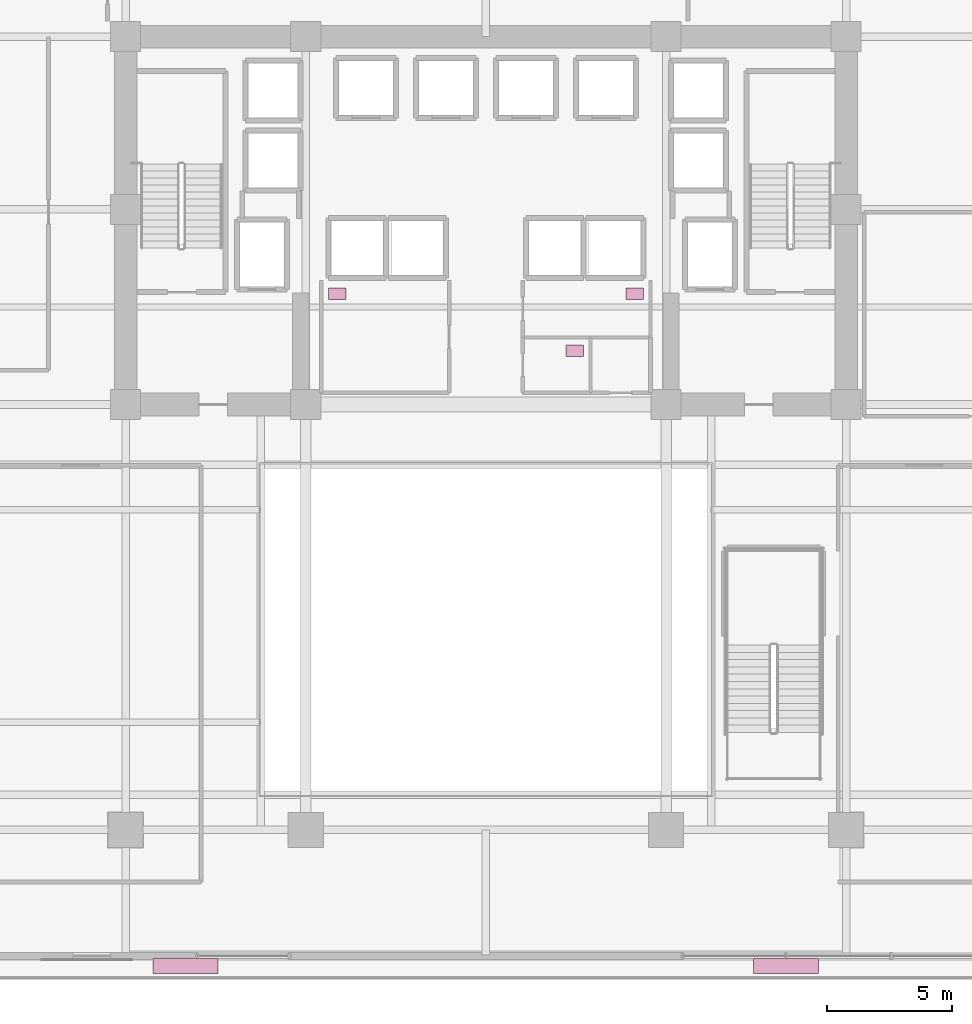
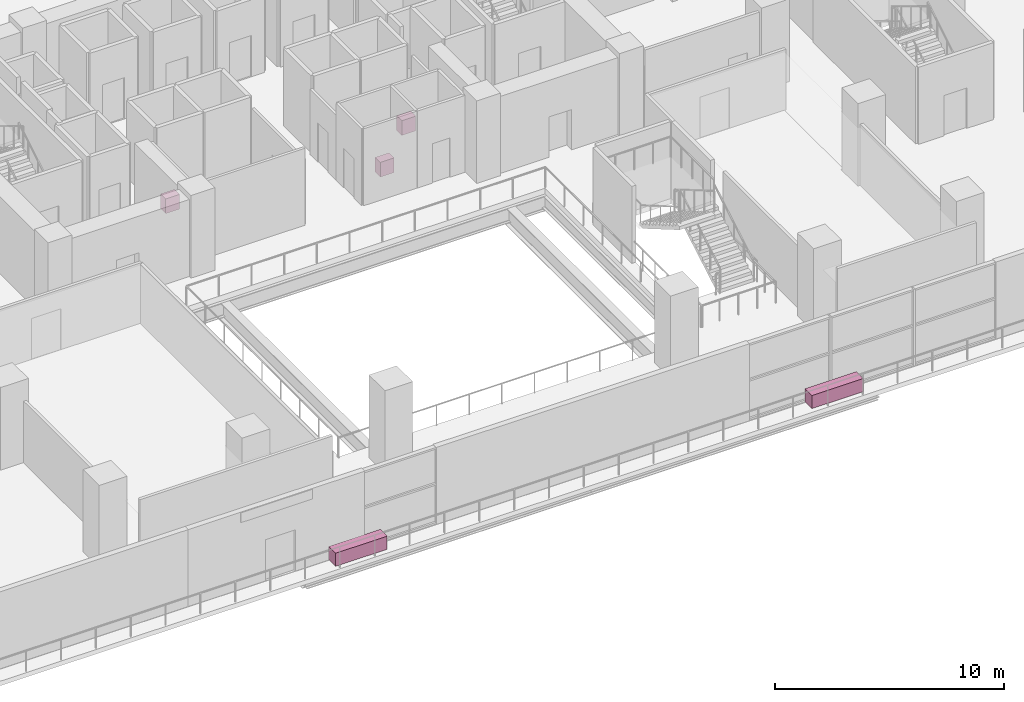
# One storey, part 23 of 23: 5 furnishings.
"""IFC4 building model written with IfcOpenShell, lengths in metres."""

from ifc_helpers import new_model, si_unit, direction, frame, origin, origin_2d, place, context, subcontext, project, spatial, rectangle, extrude, source, transform, mapped, material, type_object, element, save


model = new_model("IFC4")

# Units and contexts
model_context = context("Model", 3, precision=1e-05, world=origin(), true_north=direction((0.0, 1.0)))
body_context = subcontext(model_context, "Body", "Model", "MODEL_VIEW")
ifc_project = project(units=[si_unit("LENGTHUNIT", "METRE"), si_unit("AREAUNIT", "SQUARE_METRE"), si_unit("VOLUMEUNIT", "CUBIC_METRE"), si_unit("PLANEANGLEUNIT", "RADIAN"), si_unit("MASSUNIT", "GRAM", prefix="KILO")], contexts=[model_context])

# Site, building, storey
site_placement = place(None, origin())
site = spatial("IfcSite", under=ifc_project, at=site_placement, CompositionType="ELEMENT")
building_placement = place(site_placement, origin())
building = spatial("IfcBuilding", under=site, at=building_placement, Name="Zarnakvel Exchange Tower", CompositionType="ELEMENT")
storey_placement = place(building_placement, frame((0.0, 0.0, 13.800048828125)))
storey = spatial("IfcBuildingStorey", under=building, at=storey_placement, Name="L03", CompositionType="ELEMENT", Elevation=13.800048828125)

# Furnishings
ifc_material_1 = material(Name="Architectural Bronze Anodised Aluminium", Category="aluminium")
furnishing_element_type_1 = type_object("IfcFurnishingElementType", Name="PLNT-02", material=ifc_material_1)
shared_shape_1 = source(origin(), body_context, "Body", "SweptSolid", [
    extrude(rectangle(XDim=2.60009765625, YDim=0.60009765625, at=origin_2d()), origin(), (0.0, 0.0, 1.0), 0.699951171875),
])
for number, where, z_axis, x_axis, name in (
    (1, (-12.0, -23.64990234375, 0.0), (0.0, 0.0, 1.0), (1.0, 0.0, 0.0), "L03 Podium Terrace Planter #1"),
    (2, (12.0, -23.64990234375, 0.0), (0.0, 0.0, 1.0), (1.0, 0.0, 0.0), "L03 Podium Terrace Planter #2"),
):
    element("IfcFurnishingElement", number, at=place(storey_placement, frame(where, z_axis=z_axis, x_axis=x_axis)), inside=storey, type_object=furnishing_element_type_1, Name=name, ObjectType="PLANTER", context=body_context, shape_type="MappedRepresentation", body=[
        mapped(shared_shape_1, transform((0.0, 0.0, 0.0), x_axis=(1.0, 0.0, 0.0), y_axis=(0.0, 1.0, 0.0), z_axis=(0.0, 0.0, 1.0), scale=1.0)),
    ])
ifc_material_2 = material(Name="Vitreous China Sanitaryware", Category="ceramic")
furnishing_element_type_2 = type_object("IfcFurnishingElementType", Name="SAN-WC", material=ifc_material_2)
shared_shape_2 = source(origin(), body_context, "Body", "SweptSolid", [
    extrude(rectangle(XDim=0.699951171875, YDim=0.449951171875, at=origin_2d()), origin(), (0.0, 0.0, 1.0), 0.780029296875),
])
for number, where, z_axis, x_axis, name in (
    (3, (-5.949951171875, 3.22998046875, 0.0), (0.0, 0.0, 1.0), (1.0, 0.0, 0.0), "L03 Sanitary Fixture (Male Toilet)"),
    (4, (5.949951171875, 3.22998046875, 0.0), (0.0, 0.0, 1.0), (1.0, 0.0, 0.0), "L03 Sanitary Fixture (Female Toilet)"),
    (5, (3.550048828125, 0.949951171875, 0.0), (0.0, 0.0, 1.0), (1.0, 0.0, 0.0), "L03 Sanitary Fixture (Accessible Toilet)"),
):
    element("IfcFurnishingElement", number, at=place(storey_placement, frame(where, z_axis=z_axis, x_axis=x_axis)), inside=storey, type_object=furnishing_element_type_2, Name=name, ObjectType="SANITARY_FIXTURE", context=body_context, shape_type="MappedRepresentation", body=[
        mapped(shared_shape_2, transform((0.0, 0.0, 0.0), x_axis=(1.0, 0.0, 0.0), y_axis=(0.0, 1.0, 0.0), z_axis=(0.0, 0.0, 1.0), scale=1.0)),
    ])

save(model, "model.ifc")
